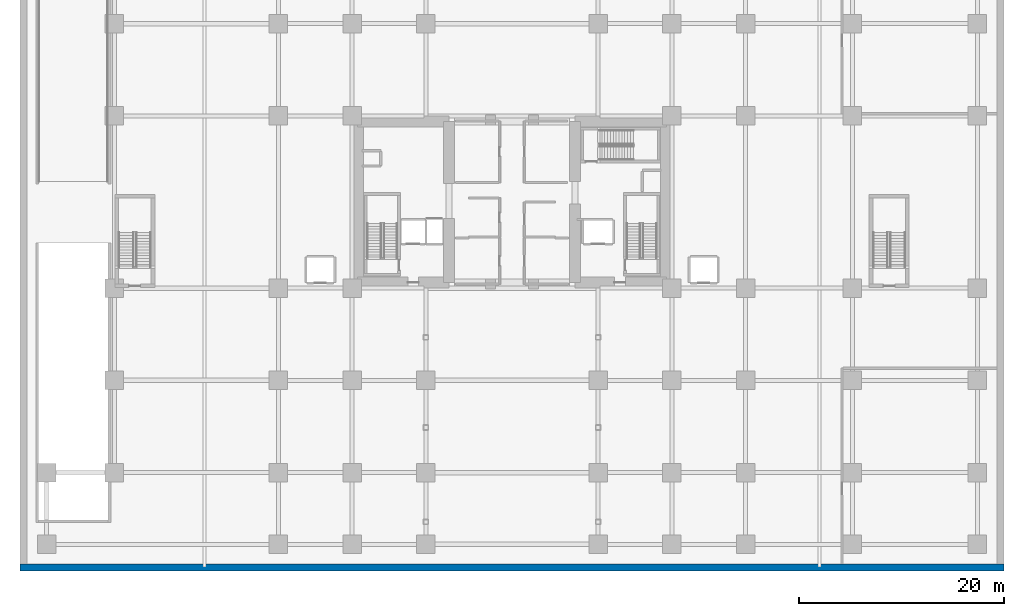
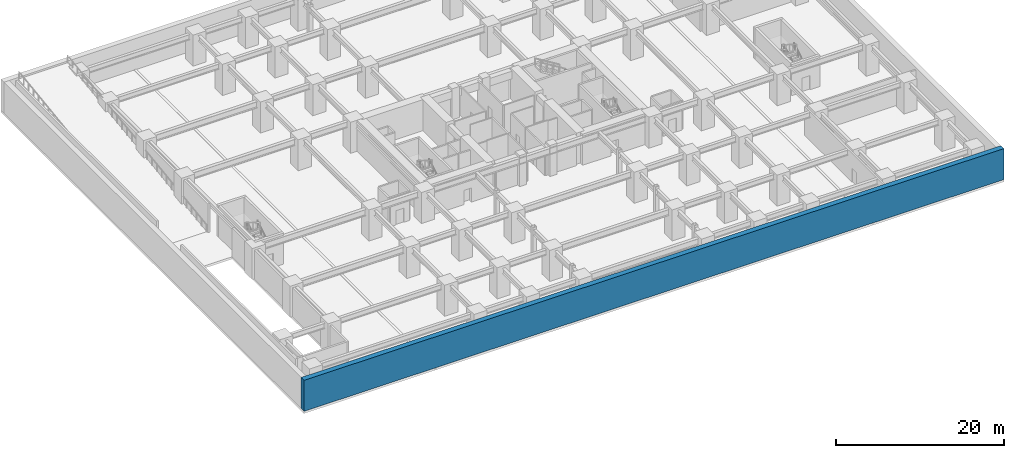
# One storey, part 8 of 20: 1 wall.
"""IFC4 building model written with IfcOpenShell, lengths in metres."""

from ifc_helpers import new_model, si_unit, direction, frame, frame_2d, origin, place, context, subcontext, project, spatial, rectangle, extrude, material, layer, layer_set, type_object, element, save


model = new_model("IFC4")

# Units and contexts
model_context = context("Model", 3, precision=1e-05, world=origin(), true_north=direction((0.0, 1.0)))
body_context = subcontext(model_context, "Body", "Model", "MODEL_VIEW")
ifc_project = project(units=[si_unit("LENGTHUNIT", "METRE"), si_unit("AREAUNIT", "SQUARE_METRE"), si_unit("VOLUMEUNIT", "CUBIC_METRE"), si_unit("PLANEANGLEUNIT", "RADIAN"), si_unit("MASSUNIT", "GRAM", prefix="KILO")], contexts=[model_context])

# Site, building, storey
site_placement = place(None, origin())
site = spatial("IfcSite", under=ifc_project, at=site_placement, CompositionType="ELEMENT")
building_placement = place(site_placement, origin())
building = spatial("IfcBuilding", under=site, at=building_placement, Name="Kiyonajd Concourse Tower", CompositionType="ELEMENT")
storey_placement = place(building_placement, frame((0.0, 0.0, -4.5)))
storey = spatial("IfcBuildingStorey", under=building, at=storey_placement, Name="B1", CompositionType="ELEMENT", Elevation=-4.5)

# Wall
ifc_material = material(Name="Concrete C50/60", Category="concrete")
ifc_layer = layer(ifc_material, 0.699951171875)
ifc_layer_set = layer_set([ifc_layer], Name="Concrete C50/60")
wall_type = type_object("IfcWallType", Name="WL-RET-700", PredefinedType="SOLIDWALL", material=ifc_layer_set)
wall_placement = place(storey_placement, frame((0.0, 0.35009765625, 0.0), z_axis=(0.0, 0.0, 1.0), x_axis=(1.0, 0.0, 0.0)))
element("IfcWall", 1, at=wall_placement, inside=storey, type_object=wall_type, Name="B1 South Basement Retaining Wall", PredefinedType="SOLIDWALL", context=body_context, shape_type="SweptSolid", body=[
    extrude(rectangle(XDim=96.0, YDim=0.699951171875, at=frame_2d((48.0, 0.0))), origin(), (0.0, 0.0, 1.0), 4.5),
])

save(model, "model.ifc")
